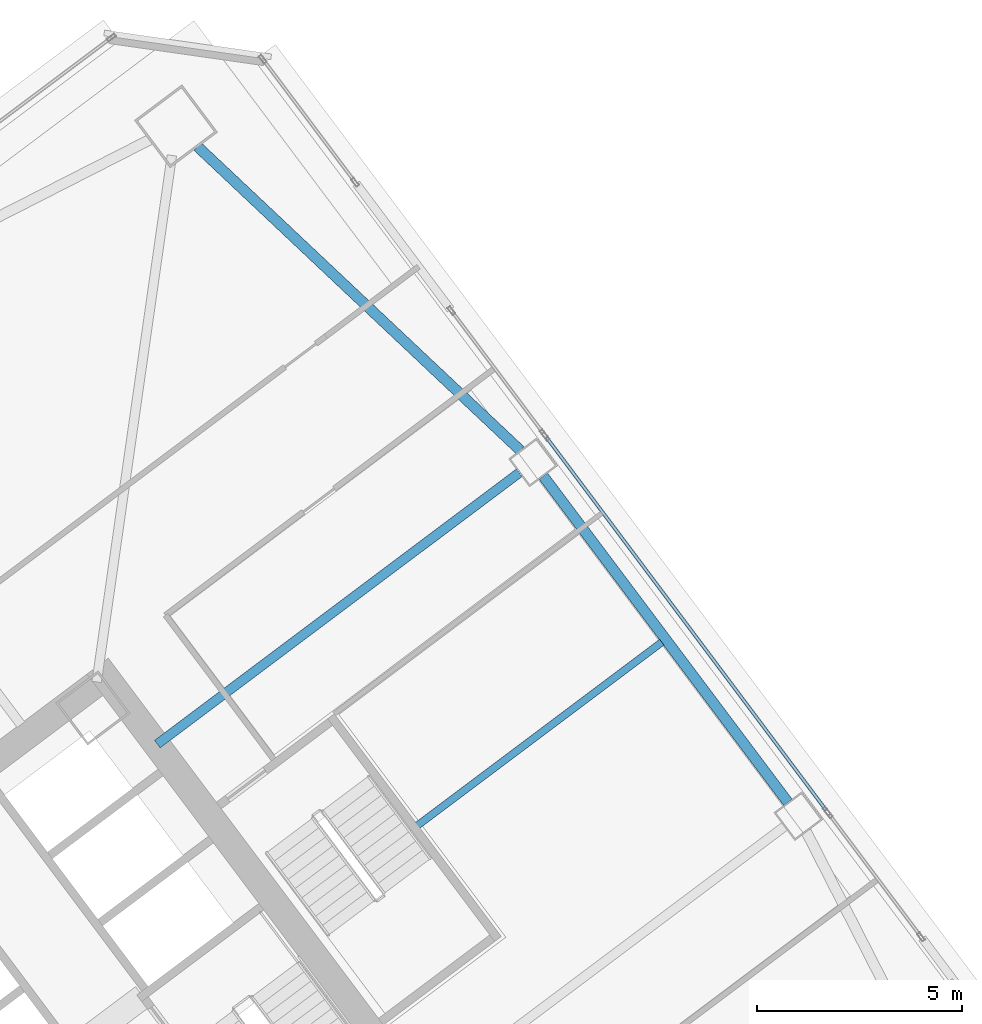
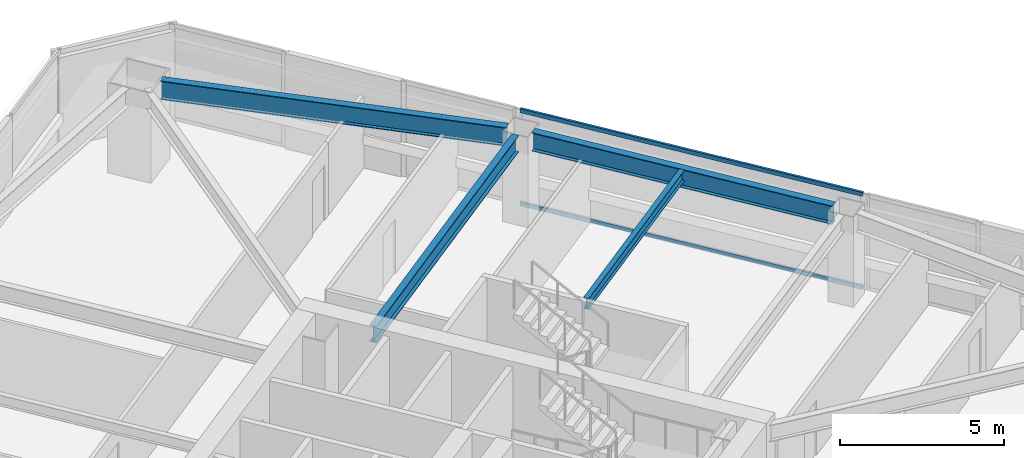
# One storey, part 33 of 48: 4 beams, 2 members, 1 element without a shape of its own.
"""IFC4 building model written with IfcOpenShell, lengths in metres."""

from ifc_helpers import new_model, si_unit, direction, frame, origin, origin_2d, place, context, subcontext, project, spatial, hollow_rectangle, i_section, extrude, material, material_profile, profile_set, type_object, element, aggregate, save


model = new_model("IFC4")

# Units and contexts
model_context = context("Model", 3, precision=1e-05, world=origin(), true_north=direction((0.0, 1.0)))
body_context = subcontext(model_context, "Body", "Model", "MODEL_VIEW")
ifc_project = project(units=[si_unit("LENGTHUNIT", "METRE"), si_unit("AREAUNIT", "SQUARE_METRE"), si_unit("VOLUMEUNIT", "CUBIC_METRE"), si_unit("PLANEANGLEUNIT", "RADIAN"), si_unit("MASSUNIT", "GRAM", prefix="KILO")], contexts=[model_context])

# Site, building, storey
site_placement = place(None, origin())
site = spatial("IfcSite", under=ifc_project, at=site_placement, CompositionType="ELEMENT")
building_placement = place(site_placement, origin())
building = spatial("IfcBuilding", under=site, at=building_placement, Name="Tashvorn Skyway Center", CompositionType="ELEMENT")
storey_placement = place(building_placement, frame((0.0, 0.0, 77.85009765625)))
storey = spatial("IfcBuildingStorey", under=building, at=storey_placement, Name="L20", CompositionType="ELEMENT", Elevation=77.85009765625)

# Beams
ifc_material_1 = material(Name="Steel ASTM A992 Grade 50", Category="steel")
ifc_material_profile_1 = material_profile(ifc_material_1, i_section(OverallWidth=0.22998046875, OverallDepth=0.616943359375, WebThickness=0.01318359375, FlangeThickness=0.022216796875, at=origin_2d()), Name="W24X94")
ifc_profile_set_1 = profile_set([ifc_material_profile_1], Name="Steel ASTM A992 Grade 50")
beam_type_1 = type_object("IfcBeamType", Name="BM-BEAM-W24X94", PredefinedType="BEAM", material=ifc_profile_set_1)
beam_1_placement = place(storey_placement, frame((125.823974609375, 47.617919921875, 3.04150390625), z_axis=(-0.800007953832, -0.599989394744, 0.0), x_axis=(0.599989394744, -0.800007953832, 0.0)))
element("IfcBeam", 1, at=beam_1_placement, inside=storey, type_object=beam_type_1, Name="Tower 2 L20 Primary Floor Girder FC-E2", PredefinedType="BEAM", context=body_context, shape_type="SweptSolid", body=[
    extrude(i_section(OverallWidth=0.22998046875, OverallDepth=0.616943359375, WebThickness=0.01318359375, FlangeThickness=0.022216796875, at=origin_2d()), origin(), (0.0, 0.0, 1.0), 11.050048828125),
])
ifc_material_profile_2 = material_profile(ifc_material_1, i_section(OverallWidth=0.177978515625, OverallDepth=0.406005859375, WebThickness=0.0078125, FlangeThickness=0.0126953125, at=origin_2d()), Name="W16X40")
ifc_profile_set_2 = profile_set([ifc_material_profile_2], Name="Steel ASTM A992 Grade 50")
beam_type_2 = type_object("IfcBeamType", Name="BM-JOIST-W16X40", PredefinedType="JOIST", material=ifc_profile_set_2)
beam_2_placement = place(storey_placement, frame((123.3359375, 39.001953125, 3.14697265625), z_axis=(0.799996072819, 0.600005236206, 0.0), x_axis=(-0.600005236206, 0.799996072819, 0.0)))
element("IfcBeam", 2, at=beam_2_placement, inside=storey, type_object=beam_type_2, Name="Tower 2 L20 Secondary Composite Joist JE", PredefinedType="JOIST", context=body_context, shape_type="SweptSolid", body=[
    extrude(i_section(OverallWidth=0.177978515625, OverallDepth=0.406005859375, WebThickness=0.0078125, FlangeThickness=0.0126953125, at=origin_2d()), origin(), (0.0, 0.0, 1.0), 7.4599609375),
])
ifc_material_profile_3 = material_profile(ifc_material_1, i_section(OverallWidth=0.256103515625, OverallDepth=0.693115234375, WebThickness=0.014404296875, FlangeThickness=0.023681640625, at=origin_2d()), Name="W27X114")
ifc_profile_set_3 = profile_set([ifc_material_profile_3], Name="Steel ASTM A992 Grade 50")
beam_type_3 = type_object("IfcBeamType", Name="BM-SPANDREL-W27X114", PredefinedType="SPANDREL", material=ifc_profile_set_3)
beam_3_placement = place(storey_placement, frame((132.387939453125, 39.56591796875, 3.00341796875), z_axis=(-0.599988234018, 0.800008824351, 0.0), x_axis=(-0.800008824351, -0.599988234018, 0.0)))
element("IfcBeam", 3, at=beam_3_placement, inside=storey, type_object=beam_type_3, Name="Tower 2 L20 Spandrel Beam 05", PredefinedType="SPANDREL", context=body_context, shape_type="SweptSolid", body=[
    extrude(i_section(OverallWidth=0.256103515625, OverallDepth=0.693115234375, WebThickness=0.014404296875, FlangeThickness=0.023681640625, at=origin_2d()), origin(), (0.0, 0.0, 1.0), 9.9599609375),
])
beam_4_placement = place(storey_placement, frame((125.854248046875, 48.157958984375, 3.00341796875), z_axis=(-0.728086883893, 0.685484857238, 0.0), x_axis=(-0.685484857238, -0.728086883893, 0.0)))
element("IfcBeam", 4, at=beam_4_placement, inside=storey, type_object=beam_type_3, Name="Tower 2 L20 Spandrel Beam 06", PredefinedType="SPANDREL", context=body_context, shape_type="SweptSolid", body=[
    extrude(i_section(OverallWidth=0.256103515625, OverallDepth=0.693115234375, WebThickness=0.014404296875, FlangeThickness=0.023681640625, at=origin_2d()), origin(), (0.0, 0.0, 1.0), 10.8369140625),
])

# Curtain wall, members
ifc_material_2 = material(Name="Thermally broken bronze-anodized aluminium 6063-T6", Category="aluminium")
curtain_wall_type = type_object("IfcCurtainWallType", Name="CW-CW-Z2", PredefinedType="NOTDEFINED", material=ifc_material_2)
curtain_wall_placement = place(storey_placement, origin())
curtain_wall = element("IfcCurtainWall", 5, at=curtain_wall_placement, inside=storey, type_object=curtain_wall_type, Name="Tower 2 L20 East Unitised Curtain Wall Glazing Group 3", PredefinedType="NOTDEFINED")
ifc_material_profile_4 = material_profile(ifc_material_2, hollow_rectangle(XDim=0.080078125, YDim=0.14990234375, WallThickness=0.00439453125, at=origin_2d()), Name="ALU-TRAN-80x150")
ifc_profile_set_4 = profile_set([ifc_material_profile_4], Name="Thermally broken bronze-anodized aluminium 6063-T6")
member_type = type_object("IfcMemberType", Name="CWT-CW-Z2", PredefinedType="USERDEFINED", material=ifc_profile_set_4)
member_1_placement = place(storey_placement, frame((126.49609375, 48.471923828125, 0.039794921875), z_axis=(0.6, -0.8, 0.0), x_axis=(0.8, 0.6, 0.0)))
member_1 = element("IfcMember", 6, at=member_1_placement, type_object=member_type, Name="CW-Z2 transom 1.1", ObjectType="TRANSOM", PredefinedType="USERDEFINED", context=body_context, shape_type="SweptSolid", body=[
    extrude(hollow_rectangle(XDim=0.080078125, YDim=0.14990234375, WallThickness=0.00439453125, at=origin_2d()), origin(), (0.0, 0.0, 1.0), 11.35986328125),
])
member_2_placement = place(storey_placement, frame((126.49609375, 48.471923828125, 3.510009765625), z_axis=(0.6, -0.8, 0.0), x_axis=(0.8, 0.6, 0.0)))
member_2 = element("IfcMember", 7, at=member_2_placement, type_object=member_type, Name="CW-Z2 transom 1.2", ObjectType="TRANSOM", PredefinedType="USERDEFINED", context=body_context, shape_type="SweptSolid", body=[
    extrude(hollow_rectangle(XDim=0.080078125, YDim=0.14990234375, WallThickness=0.00439453125, at=origin_2d()), origin(), (0.0, 0.0, 1.0), 11.35986328125),
])
aggregate(curtain_wall, [member_1, member_2])

save(model, "model.ifc")
